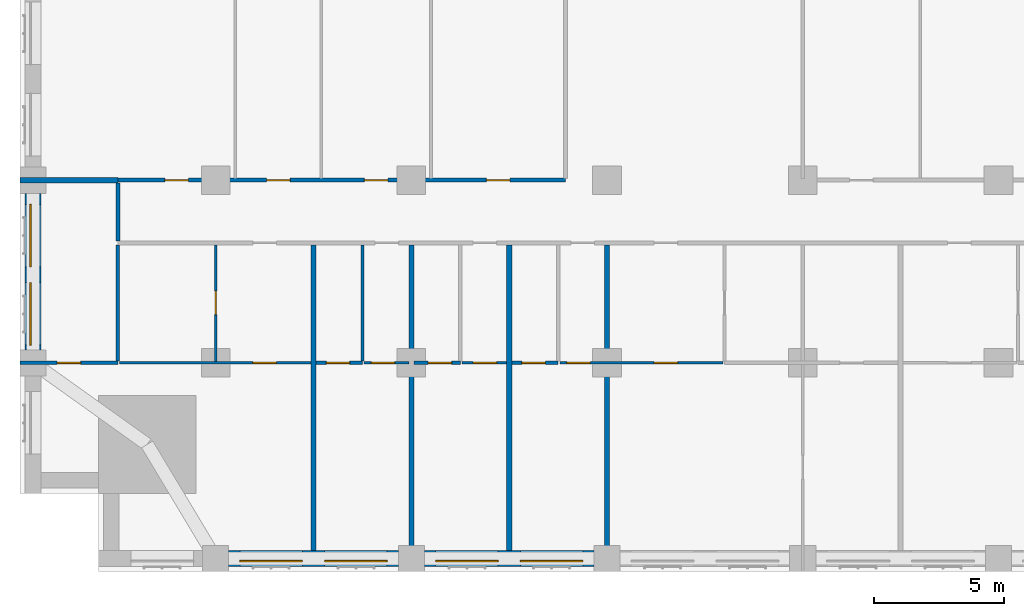
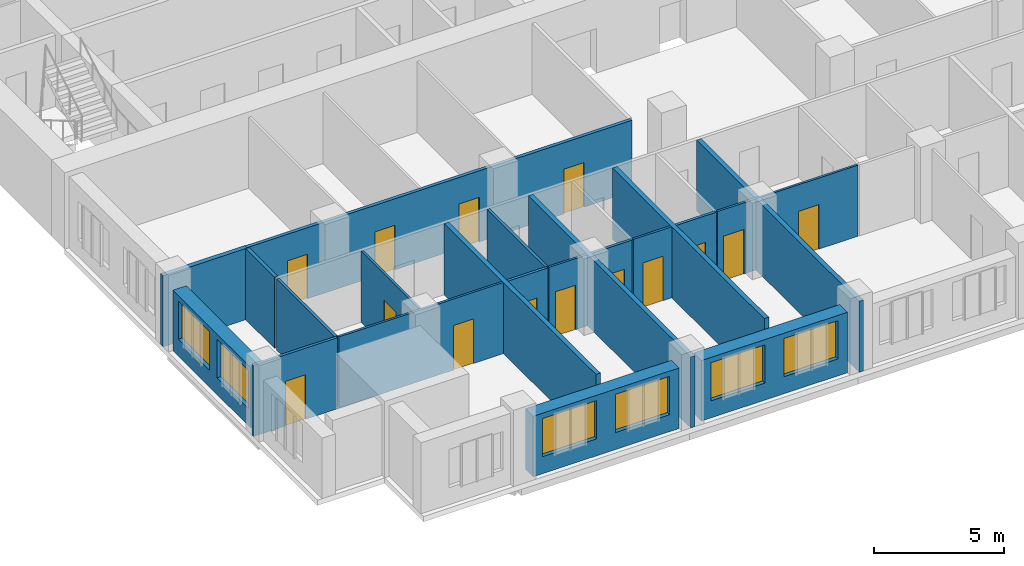
# One storey, part 4 of 15: 21 walls, 14 doors, 6 windows, 20 openings.
"""IFC4 building model written with IfcOpenShell, lengths in metres."""

from ifc_helpers import new_model, si_unit, direction, frame, frame_2d, origin, place, context, subcontext, project, spatial, rectangle, extrude, material, layer, layer_set, type_object, element, fill, save


model = new_model("IFC4")

# Units and contexts
model_context = context("Model", 3, precision=1e-05, world=origin(), true_north=direction((0.0, 1.0)))
body_context = subcontext(model_context, "Body", "Model", "MODEL_VIEW")
ifc_project = project(units=[si_unit("LENGTHUNIT", "METRE"), si_unit("AREAUNIT", "SQUARE_METRE"), si_unit("VOLUMEUNIT", "CUBIC_METRE"), si_unit("PLANEANGLEUNIT", "RADIAN"), si_unit("MASSUNIT", "GRAM", prefix="KILO")], contexts=[model_context])

# Site, building, storey
site_placement = place(None, origin())
site = spatial("IfcSite", under=ifc_project, at=site_placement, CompositionType="ELEMENT")
building_placement = place(site_placement, origin())
building = spatial("IfcBuilding", under=site, at=building_placement, Name="Tamorin Gate", CompositionType="ELEMENT")
storey_placement = place(building_placement, frame((0.0, 0.0, 82.699951171875)))
storey = spatial("IfcBuildingStorey", under=building, at=storey_placement, Name="L19", CompositionType="ELEMENT", Elevation=82.699951171875)

# Wall, openings, windows
ifc_material_1 = material(Name="Precast concrete C40/50", Category="concrete")
ifc_layer_1 = layer(ifc_material_1, 0.60009765625)
ifc_layer_set_1 = layer_set([ifc_layer_1], Name="Precast concrete C40/50")
wall_type_1 = type_object("IfcWallType", Name="Board-marked concrete facade panel 600", PredefinedType="SOLIDWALL", material=ifc_layer_set_1)
wall_1_placement = place(storey_placement, frame((38.0, 38.0, 0.0), z_axis=(0.0, 0.0, 1.0), x_axis=(1.0, 0.0, 0.0)))
wall_1 = element("IfcWall", 1, at=wall_1_placement, inside=storey, type_object=wall_type_1, Name="Facade panel", PredefinedType="SOLIDWALL", context=body_context, shape_type="SweptSolid", body=[
    extrude(rectangle(XDim=6.5, YDim=0.60009765625, at=frame_2d((3.25, 0.0))), origin(), (0.0, 0.0, 1.0), 2.85009765625),
])
opening_1_placement = place(wall_1_placement, frame((0.425048828125, 0.0, 0.800048828125)))
opening_1 = element("IfcOpeningElement", 2, at=opening_1_placement, cuts=wall_1, Name="Opening WN1", PredefinedType="OPENING", context=body_context, shape_type="SweptSolid", body=[
    extrude(rectangle(XDim=2.39990234375, YDim=1.800048828125, at=frame_2d((1.199951171875, 0.89990234375))), frame((0.0, 0.31005859375, 0.0), z_axis=(0.0, -1.0, 0.0), x_axis=(1.0, 0.0, 0.0)), (0.0, 0.0, 1.0), 0.6201171875),
])
opening_2_placement = place(wall_1_placement, frame((3.675048828125, 0.0, 0.800048828125)))
opening_2 = element("IfcOpeningElement", 3, at=opening_2_placement, cuts=wall_1, Name="Opening WN1", PredefinedType="OPENING", context=body_context, shape_type="SweptSolid", body=[
    extrude(rectangle(XDim=2.39990234375, YDim=1.800048828125, at=frame_2d((1.199951171875, 0.89990234375))), frame((0.0, 0.31005859375, 0.0), z_axis=(0.0, -1.0, 0.0), x_axis=(1.0, 0.0, 0.0)), (0.0, 0.0, 1.0), 0.6201171875),
])
ifc_material_2 = material(Name="Clear glass in aluminium frame", Category="aluminium")
window_type = type_object("IfcWindowType", Name="Deep-set window 2400x1800", PartitioningType="SINGLE_PANEL", PredefinedType="WINDOW", material=ifc_material_2)
window_1_placement = place(opening_1_placement, origin())
window_1 = element("IfcWindow", 4, at=window_1_placement, inside=storey, type_object=window_type, Name="Deep-set window", OverallHeight=1.800048828125, OverallWidth=2.39990234375, PartitioningType="SINGLE_PANEL", PredefinedType="WINDOW", context=body_context, shape_type="SweptSolid", body=[
    extrude(rectangle(XDim=2.39990234375, YDim=1.800048828125, at=frame_2d((1.199951171875, 0.89990234375))), frame((0.0, -0.070068359375, 0.0), z_axis=(0.0, -1.0, 0.0), x_axis=(1.0, 0.0, 0.0)), (0.0, 0.0, 1.0), 0.06005859375),
])
fill(opening_1, window_1)
window_2_placement = place(opening_2_placement, origin())
window_2 = element("IfcWindow", 5, at=window_2_placement, inside=storey, type_object=window_type, Name="Deep-set window", OverallHeight=1.800048828125, OverallWidth=2.39990234375, PartitioningType="SINGLE_PANEL", PredefinedType="WINDOW", context=body_context, shape_type="SweptSolid", body=[
    extrude(rectangle(XDim=2.39990234375, YDim=1.800048828125, at=frame_2d((1.199951171875, 0.89990234375))), frame((0.0, -0.070068359375, 0.0), z_axis=(0.0, -1.0, 0.0), x_axis=(1.0, 0.0, 0.0)), (0.0, 0.0, 1.0), 0.06005859375),
])
fill(opening_2, window_2)

wall_2_placement = place(storey_placement, frame((45.5, 38.0, 0.0), z_axis=(0.0, 0.0, 1.0), x_axis=(1.0, 0.0, 0.0)))
wall_2 = element("IfcWall", 6, at=wall_2_placement, inside=storey, type_object=wall_type_1, Name="Facade panel", PredefinedType="SOLIDWALL", context=body_context, shape_type="SweptSolid", body=[
    extrude(rectangle(XDim=6.5, YDim=0.60009765625, at=frame_2d((3.25, 0.0))), origin(), (0.0, 0.0, 1.0), 2.85009765625),
])
opening_3_placement = place(wall_2_placement, frame((0.425048828125, 0.0, 0.800048828125)))
opening_3 = element("IfcOpeningElement", 7, at=opening_3_placement, cuts=wall_2, Name="Opening WN1", PredefinedType="OPENING", context=body_context, shape_type="SweptSolid", body=[
    extrude(rectangle(XDim=2.39990234375, YDim=1.800048828125, at=frame_2d((1.199951171875, 0.89990234375))), frame((0.0, 0.31005859375, 0.0), z_axis=(0.0, -1.0, 0.0), x_axis=(1.0, 0.0, 0.0)), (0.0, 0.0, 1.0), 0.6201171875),
])
opening_4_placement = place(wall_2_placement, frame((3.675048828125, 0.0, 0.800048828125)))
opening_4 = element("IfcOpeningElement", 8, at=opening_4_placement, cuts=wall_2, Name="Opening WN1", PredefinedType="OPENING", context=body_context, shape_type="SweptSolid", body=[
    extrude(rectangle(XDim=2.39990234375, YDim=1.800048828125, at=frame_2d((1.199951171875, 0.89990234375))), frame((0.0, 0.31005859375, 0.0), z_axis=(0.0, -1.0, 0.0), x_axis=(1.0, 0.0, 0.0)), (0.0, 0.0, 1.0), 0.6201171875),
])
window_3_placement = place(opening_3_placement, origin())
window_3 = element("IfcWindow", 9, at=window_3_placement, inside=storey, type_object=window_type, Name="Deep-set window", OverallHeight=1.800048828125, OverallWidth=2.39990234375, PartitioningType="SINGLE_PANEL", PredefinedType="WINDOW", context=body_context, shape_type="SweptSolid", body=[
    extrude(rectangle(XDim=2.39990234375, YDim=1.800048828125, at=frame_2d((1.199951171875, 0.89990234375))), frame((0.0, -0.070068359375, 0.0), z_axis=(0.0, -1.0, 0.0), x_axis=(1.0, 0.0, 0.0)), (0.0, 0.0, 1.0), 0.06005859375),
])
fill(opening_3, window_3)
window_4_placement = place(opening_4_placement, origin())
window_4 = element("IfcWindow", 10, at=window_4_placement, inside=storey, type_object=window_type, Name="Deep-set window", OverallHeight=1.800048828125, OverallWidth=2.39990234375, PartitioningType="SINGLE_PANEL", PredefinedType="WINDOW", context=body_context, shape_type="SweptSolid", body=[
    extrude(rectangle(XDim=2.39990234375, YDim=1.800048828125, at=frame_2d((1.199951171875, 0.89990234375))), frame((0.0, -0.070068359375, 0.0), z_axis=(0.0, -1.0, 0.0), x_axis=(1.0, 0.0, 0.0)), (0.0, 0.0, 1.0), 0.06005859375),
])
fill(opening_4, window_4)

wall_3_placement = place(storey_placement, frame((30.5, 52.0, 0.0), z_axis=(0.0, 0.0, 1.0), x_axis=(0.0, -1.0, 0.0)))
wall_3 = element("IfcWall", 11, at=wall_3_placement, inside=storey, type_object=wall_type_1, Name="Facade panel", PredefinedType="SOLIDWALL", context=body_context, shape_type="SweptSolid", body=[
    extrude(rectangle(XDim=6.0, YDim=0.60009765625, at=frame_2d((3.0, 0.0))), origin(), (0.0, 0.0, 1.0), 2.85009765625),
])
opening_5_placement = place(wall_3_placement, frame((3.425048828125, 0.0, 0.800048828125)))
opening_5 = element("IfcOpeningElement", 12, at=opening_5_placement, cuts=wall_3, Name="Opening WN1", PredefinedType="OPENING", context=body_context, shape_type="SweptSolid", body=[
    extrude(rectangle(XDim=2.39990234375, YDim=1.800048828125, at=frame_2d((1.199951171875, 0.89990234375))), frame((0.0, 0.31005859375, 0.0), z_axis=(0.0, -1.0, 0.0), x_axis=(1.0, 0.0, 0.0)), (0.0, 0.0, 1.0), 0.6201171875),
])
opening_6_placement = place(wall_3_placement, frame((0.425048828125, 0.0, 0.800048828125)))
opening_6 = element("IfcOpeningElement", 13, at=opening_6_placement, cuts=wall_3, Name="Opening WN1", PredefinedType="OPENING", context=body_context, shape_type="SweptSolid", body=[
    extrude(rectangle(XDim=2.39990234375, YDim=1.800048828125, at=frame_2d((1.199951171875, 0.89990234375))), frame((0.0, 0.31005859375, 0.0), z_axis=(0.0, -1.0, 0.0), x_axis=(1.0, 0.0, 0.0)), (0.0, 0.0, 1.0), 0.6201171875),
])
window_5_placement = place(opening_5_placement, origin())
window_5 = element("IfcWindow", 14, at=window_5_placement, inside=storey, type_object=window_type, Name="Deep-set window", OverallHeight=1.800048828125, OverallWidth=2.39990234375, PartitioningType="SINGLE_PANEL", PredefinedType="WINDOW", context=body_context, shape_type="SweptSolid", body=[
    extrude(rectangle(XDim=2.39990234375, YDim=1.800048828125, at=frame_2d((1.199951171875, 0.89990234375))), frame((0.0, -0.070068359375, 0.0), z_axis=(0.0, -1.0, 0.0), x_axis=(1.0, 0.0, 0.0)), (0.0, 0.0, 1.0), 0.06005859375),
])
fill(opening_5, window_5)
window_6_placement = place(opening_6_placement, origin())
window_6 = element("IfcWindow", 15, at=window_6_placement, inside=storey, type_object=window_type, Name="Deep-set window", OverallHeight=1.800048828125, OverallWidth=2.39990234375, PartitioningType="SINGLE_PANEL", PredefinedType="WINDOW", context=body_context, shape_type="SweptSolid", body=[
    extrude(rectangle(XDim=2.39990234375, YDim=1.800048828125, at=frame_2d((1.199951171875, 0.89990234375))), frame((0.0, -0.070068359375, 0.0), z_axis=(0.0, -1.0, 0.0), x_axis=(1.0, 0.0, 0.0)), (0.0, 0.0, 1.0), 0.06005859375),
])
fill(opening_6, window_6)

# Wall, openings, doors
ifc_material_3 = material(Name="Gypsum board partition")
ifc_layer_2 = layer(ifc_material_3, 0.14990234375)
ifc_layer_set_2 = layer_set([ifc_layer_2], Name="Corridor wall 150")
wall_type_2 = type_object("IfcWallType", Name="Corridor wall 150", PredefinedType="PARTITIONING", material=ifc_layer_set_2)
wall_4_placement = place(storey_placement, frame((33.75, 52.5, 0.0), z_axis=(0.0, 0.0, 1.0), x_axis=(1.0, 0.0, 0.0)))
wall_4 = element("IfcWall", 16, at=wall_4_placement, inside=storey, type_object=wall_type_2, Name="Corridor wall 150", PredefinedType="PARTITIONING", context=body_context, shape_type="SweptSolid", body=[
    extrude(rectangle(XDim=17.14990234375, YDim=0.14990234375, at=frame_2d((8.574951171875, 0.0))), origin(), (0.0, 0.0, 1.0), 3.35009765625),
])
opening_7_placement = place(wall_4_placement, frame((1.800048828125, 0.0, 0.0)))
opening_7 = element("IfcOpeningElement", 17, at=opening_7_placement, cuts=wall_4, Name="Opening DH6086", PredefinedType="OPENING", context=body_context, shape_type="SweptSolid", body=[
    extrude(rectangle(XDim=0.89990234375, YDim=2.10009765625, at=frame_2d((0.449951171875, 1.050048828125))), frame((0.0, 0.0849609375, 0.0), z_axis=(0.0, -1.0, 0.0), x_axis=(1.0, 0.0, 0.0)), (0.0, 0.0, 1.0), 0.169921875),
])
opening_8_placement = place(wall_4_placement, frame((5.699951171875, 0.0, 0.0)))
opening_8 = element("IfcOpeningElement", 18, at=opening_8_placement, cuts=wall_4, Name="Opening DH6087", PredefinedType="OPENING", context=body_context, shape_type="SweptSolid", body=[
    extrude(rectangle(XDim=0.89990234375, YDim=2.10009765625, at=frame_2d((0.449951171875, 1.050048828125))), frame((0.0, 0.0849609375, 0.0), z_axis=(0.0, -1.0, 0.0), x_axis=(1.0, 0.0, 0.0)), (0.0, 0.0, 1.0), 0.169921875),
])
opening_9_placement = place(wall_4_placement, frame((9.449951171875, 0.0, 0.0)))
opening_9 = element("IfcOpeningElement", 19, at=opening_9_placement, cuts=wall_4, Name="Opening DH6088", PredefinedType="OPENING", context=body_context, shape_type="SweptSolid", body=[
    extrude(rectangle(XDim=0.89990234375, YDim=2.10009765625, at=frame_2d((0.449951171875, 1.050048828125))), frame((0.0, 0.0849609375, 0.0), z_axis=(0.0, -1.0, 0.0), x_axis=(1.0, 0.0, 0.0)), (0.0, 0.0, 1.0), 0.169921875),
])
opening_10_placement = place(wall_4_placement, frame((14.125, 0.0, 0.0)))
opening_10 = element("IfcOpeningElement", 20, at=opening_10_placement, cuts=wall_4, Name="Opening DH6089", PredefinedType="OPENING", context=body_context, shape_type="SweptSolid", body=[
    extrude(rectangle(XDim=0.89990234375, YDim=2.10009765625, at=frame_2d((0.449951171875, 1.050048828125))), frame((0.0, 0.0849609375, 0.0), z_axis=(0.0, -1.0, 0.0), x_axis=(1.0, 0.0, 0.0)), (0.0, 0.0, 1.0), 0.169921875),
])
ifc_material_4 = material(Name="Timber door leaf", Category="wood")
door_type_1 = type_object("IfcDoorType", Name="Door 900 x 2100 FD30S", OperationType="NOTDEFINED", PredefinedType="DOOR", material=ifc_material_4)
door_1_placement = place(opening_7_placement, origin())
door_1 = element("IfcDoor", 21, at=door_1_placement, inside=storey, type_object=door_type_1, Name="Door DH6086", OperationType="SINGLE_SWING_LEFT", OverallHeight=2.10009765625, OverallWidth=0.89990234375, PredefinedType="DOOR", context=body_context, shape_type="SweptSolid", body=[
    extrude(rectangle(XDim=0.89990234375, YDim=2.10009765625, at=frame_2d((0.449951171875, 1.050048828125))), frame((0.0, 0.02490234375, 0.0), z_axis=(0.0, -1.0, 0.0), x_axis=(1.0, 0.0, 0.0)), (0.0, 0.0, 1.0), 0.050048828125),
])
fill(opening_7, door_1)
door_2_placement = place(opening_8_placement, origin())
door_2 = element("IfcDoor", 22, at=door_2_placement, inside=storey, type_object=door_type_1, Name="Door DH6087", OperationType="SINGLE_SWING_LEFT", OverallHeight=2.10009765625, OverallWidth=0.89990234375, PredefinedType="DOOR", context=body_context, shape_type="SweptSolid", body=[
    extrude(rectangle(XDim=0.89990234375, YDim=2.10009765625, at=frame_2d((0.449951171875, 1.050048828125))), frame((0.0, 0.02490234375, 0.0), z_axis=(0.0, -1.0, 0.0), x_axis=(1.0, 0.0, 0.0)), (0.0, 0.0, 1.0), 0.050048828125),
])
fill(opening_8, door_2)
door_3_placement = place(opening_9_placement, origin())
door_3 = element("IfcDoor", 23, at=door_3_placement, inside=storey, type_object=door_type_1, Name="Door DH6088", OperationType="SINGLE_SWING_LEFT", OverallHeight=2.10009765625, OverallWidth=0.89990234375, PredefinedType="DOOR", context=body_context, shape_type="SweptSolid", body=[
    extrude(rectangle(XDim=0.89990234375, YDim=2.10009765625, at=frame_2d((0.449951171875, 1.050048828125))), frame((0.0, 0.02490234375, 0.0), z_axis=(0.0, -1.0, 0.0), x_axis=(1.0, 0.0, 0.0)), (0.0, 0.0, 1.0), 0.050048828125),
])
fill(opening_9, door_3)
door_4_placement = place(opening_10_placement, origin())
door_4 = element("IfcDoor", 24, at=door_4_placement, inside=storey, type_object=door_type_1, Name="Door DH6089", OperationType="SINGLE_SWING_LEFT", OverallHeight=2.10009765625, OverallWidth=0.89990234375, PredefinedType="DOOR", context=body_context, shape_type="SweptSolid", body=[
    extrude(rectangle(XDim=0.89990234375, YDim=2.10009765625, at=frame_2d((0.449951171875, 1.050048828125))), frame((0.0, 0.02490234375, 0.0), z_axis=(0.0, -1.0, 0.0), x_axis=(1.0, 0.0, 0.0)), (0.0, 0.0, 1.0), 0.050048828125),
])
fill(opening_10, door_4)

# Walls
wall_5_placement = place(storey_placement, frame((33.75, 50.175048828125, 0.0), z_axis=(0.0, 0.0, 1.0), x_axis=(0.0, 1.0, 0.0)))
element("IfcWall", 25, at=wall_5_placement, inside=storey, type_object=wall_type_2, Name="Corridor wall 150", PredefinedType="PARTITIONING", context=body_context, shape_type="SweptSolid", body=[
    extrude(rectangle(XDim=2.224853515625, YDim=0.14990234375, at=frame_2d((1.1123046875, 0.0))), origin(), (0.0, 0.0, 1.0), 3.35009765625),
])
ifc_layer_3 = layer(ifc_material_3, 0.199951171875)
ifc_layer_set_3 = layer_set([ifc_layer_3], Name="Demising wall 200")
wall_type_3 = type_object("IfcWallType", Name="Demising wall 200", PredefinedType="PARTITIONING", material=ifc_layer_set_3)
wall_6_placement = place(storey_placement, frame((30.0, 52.5, 0.0), z_axis=(0.0, 0.0, 1.0), x_axis=(1.0, 0.0, 0.0)))
element("IfcWall", 26, at=wall_6_placement, inside=storey, type_object=wall_type_3, Name="Demising wall 200", PredefinedType="PARTITIONING", context=body_context, shape_type="SweptSolid", body=[
    extrude(rectangle(XDim=3.75, YDim=0.199951171875, at=frame_2d((1.875, 0.0))), origin(), (0.0, 0.0, 1.0), 3.35009765625),
])
wall_7_placement = place(storey_placement, frame((41.25, 38.31005859375, 0.0), z_axis=(0.0, 0.0, 1.0), x_axis=(0.0, 1.0, 0.0)))
element("IfcWall", 27, at=wall_7_placement, inside=storey, type_object=wall_type_3, Name="Demising wall 200", PredefinedType="PARTITIONING", context=body_context, shape_type="SweptSolid", body=[
    extrude(rectangle(XDim=11.71484375, YDim=0.199951171875, at=frame_2d((5.857421875, 0.0))), origin(), (0.0, 0.0, 1.0), 3.35009765625),
])
wall_8_placement = place(storey_placement, frame((45.0, 37.5, 0.0), z_axis=(0.0, 0.0, 1.0), x_axis=(0.0, 1.0, 0.0)))
element("IfcWall", 28, at=wall_8_placement, inside=storey, type_object=wall_type_3, Name="Demising wall 200", PredefinedType="PARTITIONING", context=body_context, shape_type="SweptSolid", body=[
    extrude(rectangle(XDim=12.52490234375, YDim=0.199951171875, at=frame_2d((6.262451171875, 0.0))), origin(), (0.0, 0.0, 1.0), 3.35009765625),
])
wall_9_placement = place(storey_placement, frame((48.75, 38.31005859375, 0.0), z_axis=(0.0, 0.0, 1.0), x_axis=(0.0, 1.0, 0.0)))
element("IfcWall", 29, at=wall_9_placement, inside=storey, type_object=wall_type_3, Name="Demising wall 200", PredefinedType="PARTITIONING", context=body_context, shape_type="SweptSolid", body=[
    extrude(rectangle(XDim=11.71484375, YDim=0.199951171875, at=frame_2d((5.857421875, 0.0))), origin(), (0.0, 0.0, 1.0), 3.35009765625),
])
wall_10_placement = place(storey_placement, frame((52.5, 37.5, 0.0), z_axis=(0.0, 0.0, 1.0), x_axis=(0.0, 1.0, 0.0)))
element("IfcWall", 30, at=wall_10_placement, inside=storey, type_object=wall_type_3, Name="Demising wall 200", PredefinedType="PARTITIONING", context=body_context, shape_type="SweptSolid", body=[
    extrude(rectangle(XDim=12.52490234375, YDim=0.199951171875, at=frame_2d((6.262451171875, 0.0))), origin(), (0.0, 0.0, 1.0), 3.35009765625),
])

# Wall, opening, door
ifc_layer_4 = layer(ifc_material_3, 0.10009765625)
ifc_layer_set_4 = layer_set([ifc_layer_4], Name="Room partition 100")
wall_type_4 = type_object("IfcWallType", Name="Room partition 100", PredefinedType="PARTITIONING", material=ifc_layer_set_4)
wall_11_placement = place(storey_placement, frame((33.8125, 45.5, 0.0), z_axis=(0.0, 0.0, 1.0), x_axis=(1.0, 0.0, 0.0)))
wall_11 = element("IfcWall", 31, at=wall_11_placement, inside=storey, type_object=wall_type_4, Name="Room partition 100", PredefinedType="PARTITIONING", context=body_context, shape_type="SweptSolid", body=[
    extrude(rectangle(XDim=7.33740234375, YDim=0.10009765625, at=frame_2d((3.668701171875, 0.0))), origin(), (0.0, 0.0, 1.0), 3.35009765625),
])
opening_11_placement = place(wall_11_placement, frame((5.112548828125, 0.0, 0.0)))
opening_11 = element("IfcOpeningElement", 32, at=opening_11_placement, cuts=wall_11, Name="Opening DH6004", PredefinedType="OPENING", context=body_context, shape_type="SweptSolid", body=[
    extrude(rectangle(XDim=0.89990234375, YDim=2.10009765625, at=frame_2d((0.449951171875, 1.050048828125))), frame((0.0, 0.06005859375, 0.0), z_axis=(0.0, -1.0, 0.0), x_axis=(1.0, 0.0, 0.0)), (0.0, 0.0, 1.0), 0.1201171875),
])
door_type_2 = type_object("IfcDoorType", Name="Door 900 x 2100", OperationType="NOTDEFINED", PredefinedType="DOOR", material=ifc_material_4)
door_5_placement = place(opening_11_placement, origin())
door_5 = element("IfcDoor", 33, at=door_5_placement, inside=storey, type_object=door_type_2, Name="Door DH6004", OperationType="SINGLE_SWING_LEFT", OverallHeight=2.10009765625, OverallWidth=0.89990234375, PredefinedType="DOOR", context=body_context, shape_type="SweptSolid", body=[
    extrude(rectangle(XDim=0.89990234375, YDim=2.10009765625, at=frame_2d((0.449951171875, 1.050048828125))), frame((0.0, 0.02490234375, 0.0), z_axis=(0.0, -1.0, 0.0), x_axis=(1.0, 0.0, 0.0)), (0.0, 0.0, 1.0), 0.050048828125),
])
fill(opening_11, door_5)

wall_12_placement = place(storey_placement, frame((43.1875, 45.5, 0.0), z_axis=(0.0, 0.0, 1.0), x_axis=(1.0, 0.0, 0.0)))
wall_12 = element("IfcWall", 34, at=wall_12_placement, inside=storey, type_object=wall_type_4, Name="Room partition 100", PredefinedType="PARTITIONING", context=body_context, shape_type="SweptSolid", body=[
    extrude(rectangle(XDim=1.71240234375, YDim=0.10009765625, at=frame_2d((0.856201171875, 0.0))), origin(), (0.0, 0.0, 1.0), 3.35009765625),
])
opening_12_placement = place(wall_12_placement, frame((0.27490234375, 0.0, 0.0)))
opening_12 = element("IfcOpeningElement", 35, at=opening_12_placement, cuts=wall_12, Name="Opening DH6007", PredefinedType="OPENING", context=body_context, shape_type="SweptSolid", body=[
    extrude(rectangle(XDim=0.89990234375, YDim=2.10009765625, at=frame_2d((0.449951171875, 1.050048828125))), frame((0.0, 0.06005859375, 0.0), z_axis=(0.0, -1.0, 0.0), x_axis=(1.0, 0.0, 0.0)), (0.0, 0.0, 1.0), 0.1201171875),
])
door_6_placement = place(opening_12_placement, origin())
door_6 = element("IfcDoor", 36, at=door_6_placement, inside=storey, type_object=door_type_2, Name="Door DH6007", OperationType="SINGLE_SWING_LEFT", OverallHeight=2.10009765625, OverallWidth=0.89990234375, PredefinedType="DOOR", context=body_context, shape_type="SweptSolid", body=[
    extrude(rectangle(XDim=0.89990234375, YDim=2.10009765625, at=frame_2d((0.449951171875, 1.050048828125))), frame((0.0, 0.02490234375, 0.0), z_axis=(0.0, -1.0, 0.0), x_axis=(1.0, 0.0, 0.0)), (0.0, 0.0, 1.0), 0.050048828125),
])
fill(opening_12, door_6)

wall_13_placement = place(storey_placement, frame((46.9375, 45.5, 0.0), z_axis=(0.0, 0.0, 1.0), x_axis=(1.0, 0.0, 0.0)))
wall_13 = element("IfcWall", 37, at=wall_13_placement, inside=storey, type_object=wall_type_4, Name="Room partition 100", PredefinedType="PARTITIONING", context=body_context, shape_type="SweptSolid", body=[
    extrude(rectangle(XDim=1.71240234375, YDim=0.10009765625, at=frame_2d((0.856201171875, 0.0))), origin(), (0.0, 0.0, 1.0), 3.35009765625),
])
opening_13_placement = place(wall_13_placement, frame((0.425048828125, 0.0, 0.0)))
opening_13 = element("IfcOpeningElement", 38, at=opening_13_placement, cuts=wall_13, Name="Opening DH6010", PredefinedType="OPENING", context=body_context, shape_type="SweptSolid", body=[
    extrude(rectangle(XDim=0.89990234375, YDim=2.10009765625, at=frame_2d((0.449951171875, 1.050048828125))), frame((0.0, 0.06005859375, 0.0), z_axis=(0.0, -1.0, 0.0), x_axis=(1.0, 0.0, 0.0)), (0.0, 0.0, 1.0), 0.1201171875),
])
door_7_placement = place(opening_13_placement, origin())
door_7 = element("IfcDoor", 39, at=door_7_placement, inside=storey, type_object=door_type_2, Name="Door DH6010", OperationType="SINGLE_SWING_LEFT", OverallHeight=2.10009765625, OverallWidth=0.89990234375, PredefinedType="DOOR", context=body_context, shape_type="SweptSolid", body=[
    extrude(rectangle(XDim=0.89990234375, YDim=2.10009765625, at=frame_2d((0.449951171875, 1.050048828125))), frame((0.0, 0.02490234375, 0.0), z_axis=(0.0, -1.0, 0.0), x_axis=(1.0, 0.0, 0.0)), (0.0, 0.0, 1.0), 0.050048828125),
])
fill(opening_13, door_7)

# Wall, openings, doors
wall_14_placement = place(storey_placement, frame((50.6875, 45.5, 0.0), z_axis=(0.0, 0.0, 1.0), x_axis=(1.0, 0.0, 0.0)))
wall_14 = element("IfcWall", 40, at=wall_14_placement, inside=storey, type_object=wall_type_4, Name="Room partition 100", PredefinedType="PARTITIONING", context=body_context, shape_type="SweptSolid", body=[
    extrude(rectangle(XDim=6.25, YDim=0.10009765625, at=frame_2d((3.125, 0.0))), origin(), (0.0, 0.0, 1.0), 3.35009765625),
])
opening_14_placement = place(wall_14_placement, frame((0.27490234375, 0.0, 0.0)))
opening_14 = element("IfcOpeningElement", 41, at=opening_14_placement, cuts=wall_14, Name="Opening DH6013", PredefinedType="OPENING", context=body_context, shape_type="SweptSolid", body=[
    extrude(rectangle(XDim=0.89990234375, YDim=2.10009765625, at=frame_2d((0.449951171875, 1.050048828125))), frame((0.0, 0.06005859375, 0.0), z_axis=(0.0, -1.0, 0.0), x_axis=(1.0, 0.0, 0.0)), (0.0, 0.0, 1.0), 0.1201171875),
])
opening_15_placement = place(wall_14_placement, frame((3.612548828125, 0.0, 0.0)))
opening_15 = element("IfcOpeningElement", 42, at=opening_15_placement, cuts=wall_14, Name="Opening DH6015", PredefinedType="OPENING", context=body_context, shape_type="SweptSolid", body=[
    extrude(rectangle(XDim=0.89990234375, YDim=2.10009765625, at=frame_2d((0.449951171875, 1.050048828125))), frame((0.0, 0.06005859375, 0.0), z_axis=(0.0, -1.0, 0.0), x_axis=(1.0, 0.0, 0.0)), (0.0, 0.0, 1.0), 0.1201171875),
])
door_8_placement = place(opening_14_placement, origin())
door_8 = element("IfcDoor", 43, at=door_8_placement, inside=storey, type_object=door_type_2, Name="Door DH6013", OperationType="SINGLE_SWING_LEFT", OverallHeight=2.10009765625, OverallWidth=0.89990234375, PredefinedType="DOOR", context=body_context, shape_type="SweptSolid", body=[
    extrude(rectangle(XDim=0.89990234375, YDim=2.10009765625, at=frame_2d((0.449951171875, 1.050048828125))), frame((0.0, 0.02490234375, 0.0), z_axis=(0.0, -1.0, 0.0), x_axis=(1.0, 0.0, 0.0)), (0.0, 0.0, 1.0), 0.050048828125),
])
fill(opening_14, door_8)
door_9_placement = place(opening_15_placement, origin())
door_9 = element("IfcDoor", 44, at=door_9_placement, inside=storey, type_object=door_type_2, Name="Door DH6015", OperationType="SINGLE_SWING_LEFT", OverallHeight=2.10009765625, OverallWidth=0.89990234375, PredefinedType="DOOR", context=body_context, shape_type="SweptSolid", body=[
    extrude(rectangle(XDim=0.89990234375, YDim=2.10009765625, at=frame_2d((0.449951171875, 1.050048828125))), frame((0.0, 0.02490234375, 0.0), z_axis=(0.0, -1.0, 0.0), x_axis=(1.0, 0.0, 0.0)), (0.0, 0.0, 1.0), 0.050048828125),
])
fill(opening_15, door_9)

# Wall, opening, door
wall_15_placement = place(storey_placement, frame((37.5, 45.550048828125, 0.0), z_axis=(0.0, 0.0, 1.0), x_axis=(0.0, 1.0, 0.0)))
wall_15 = element("IfcWall", 45, at=wall_15_placement, inside=storey, type_object=wall_type_4, Name="Room partition 100", PredefinedType="PARTITIONING", context=body_context, shape_type="SweptSolid", body=[
    extrude(rectangle(XDim=4.474853515625, YDim=0.10009765625, at=frame_2d((2.2373046875, 0.0))), origin(), (0.0, 0.0, 1.0), 3.35009765625),
])
opening_16_placement = place(wall_15_placement, frame((1.800048828125, 0.0, 0.0)))
opening_16 = element("IfcOpeningElement", 46, at=opening_16_placement, cuts=wall_15, Name="Opening DH6002", PredefinedType="OPENING", context=body_context, shape_type="SweptSolid", body=[
    extrude(rectangle(XDim=0.89990234375, YDim=2.10009765625, at=frame_2d((0.449951171875, 1.050048828125))), frame((0.0, 0.06005859375, 0.0), z_axis=(0.0, -1.0, 0.0), x_axis=(1.0, 0.0, 0.0)), (0.0, 0.0, 1.0), 0.1201171875),
])
door_10_placement = place(opening_16_placement, origin())
door_10 = element("IfcDoor", 47, at=door_10_placement, inside=storey, type_object=door_type_2, Name="Door DH6002", OperationType="SINGLE_SWING_RIGHT", OverallHeight=2.10009765625, OverallWidth=0.89990234375, PredefinedType="DOOR", context=body_context, shape_type="SweptSolid", body=[
    extrude(rectangle(XDim=0.89990234375, YDim=2.10009765625, at=frame_2d((0.449951171875, 1.050048828125))), frame((0.0, 0.02490234375, 0.0), z_axis=(0.0, -1.0, 0.0), x_axis=(1.0, 0.0, 0.0)), (0.0, 0.0, 1.0), 0.050048828125),
])
fill(opening_16, door_10)

ifc_layer_5 = layer(ifc_material_3, 0.125)
ifc_layer_set_5 = layer_set([ifc_layer_5], Name="Wet wall 125")
wall_type_5 = type_object("IfcWallType", Name="Wet wall 125", PredefinedType="PARTITIONING", material=ifc_layer_set_5)
wall_16_placement = place(storey_placement, frame((30.0, 45.5, 0.0), z_axis=(0.0, 0.0, 1.0), x_axis=(1.0, 0.0, 0.0)))
wall_16 = element("IfcWall", 48, at=wall_16_placement, inside=storey, type_object=wall_type_5, Name="Wet wall 125", PredefinedType="PARTITIONING", context=body_context, shape_type="SweptSolid", body=[
    extrude(rectangle(XDim=3.75, YDim=0.125, at=frame_2d((1.875, 0.0))), origin(), (0.0, 0.0, 1.0), 3.35009765625),
])
opening_17_placement = place(wall_16_placement, frame((1.425048828125, 0.0, 0.0)))
opening_17 = element("IfcOpeningElement", 49, at=opening_17_placement, cuts=wall_16, Name="Opening DH6001", PredefinedType="OPENING", context=body_context, shape_type="SweptSolid", body=[
    extrude(rectangle(XDim=0.89990234375, YDim=2.10009765625, at=frame_2d((0.449951171875, 1.050048828125))), frame((0.0, 0.072509765625, 0.0), z_axis=(0.0, -1.0, 0.0), x_axis=(1.0, 0.0, 0.0)), (0.0, 0.0, 1.0), 0.14501953125),
])
door_11_placement = place(opening_17_placement, origin())
door_11 = element("IfcDoor", 50, at=door_11_placement, inside=storey, type_object=door_type_2, Name="Door DH6001", OperationType="SINGLE_SWING_LEFT", OverallHeight=2.10009765625, OverallWidth=0.89990234375, PredefinedType="DOOR", context=body_context, shape_type="SweptSolid", body=[
    extrude(rectangle(XDim=0.89990234375, YDim=2.10009765625, at=frame_2d((0.449951171875, 1.050048828125))), frame((0.0, 0.02490234375, 0.0), z_axis=(0.0, -1.0, 0.0), x_axis=(1.0, 0.0, 0.0)), (0.0, 0.0, 1.0), 0.050048828125),
])
fill(opening_17, door_11)

wall_17_placement = place(storey_placement, frame((41.35009765625, 45.5, 0.0), z_axis=(0.0, 0.0, 1.0), x_axis=(1.0, 0.0, 0.0)))
wall_17 = element("IfcWall", 51, at=wall_17_placement, inside=storey, type_object=wall_type_5, Name="Wet wall 125", PredefinedType="PARTITIONING", context=body_context, shape_type="SweptSolid", body=[
    extrude(rectangle(XDim=1.77490234375, YDim=0.125, at=frame_2d((0.887451171875, 0.0))), origin(), (0.0, 0.0, 1.0), 3.35009765625),
])
opening_18_placement = place(wall_17_placement, frame((0.387451171875, 0.0, 0.0)))
opening_18 = element("IfcOpeningElement", 52, at=opening_18_placement, cuts=wall_17, Name="Opening DH6005", PredefinedType="OPENING", context=body_context, shape_type="SweptSolid", body=[
    extrude(rectangle(XDim=0.89990234375, YDim=2.10009765625, at=frame_2d((0.449951171875, 1.050048828125))), frame((0.0, 0.072509765625, 0.0), z_axis=(0.0, -1.0, 0.0), x_axis=(1.0, 0.0, 0.0)), (0.0, 0.0, 1.0), 0.14501953125),
])
door_12_placement = place(opening_18_placement, origin())
door_12 = element("IfcDoor", 53, at=door_12_placement, inside=storey, type_object=door_type_2, Name="Door DH6005", OperationType="SINGLE_SWING_LEFT", OverallHeight=2.10009765625, OverallWidth=0.89990234375, PredefinedType="DOOR", context=body_context, shape_type="SweptSolid", body=[
    extrude(rectangle(XDim=0.89990234375, YDim=2.10009765625, at=frame_2d((0.449951171875, 1.050048828125))), frame((0.0, 0.02490234375, 0.0), z_axis=(0.0, -1.0, 0.0), x_axis=(1.0, 0.0, 0.0)), (0.0, 0.0, 1.0), 0.050048828125),
])
fill(opening_18, door_12)

wall_18_placement = place(storey_placement, frame((45.10009765625, 45.5, 0.0), z_axis=(0.0, 0.0, 1.0), x_axis=(1.0, 0.0, 0.0)))
wall_18 = element("IfcWall", 54, at=wall_18_placement, inside=storey, type_object=wall_type_5, Name="Wet wall 125", PredefinedType="PARTITIONING", context=body_context, shape_type="SweptSolid", body=[
    extrude(rectangle(XDim=1.77490234375, YDim=0.125, at=frame_2d((0.887451171875, 0.0))), origin(), (0.0, 0.0, 1.0), 3.35009765625),
])
opening_19_placement = place(wall_18_placement, frame((0.53759765625, 0.0, 0.0)))
opening_19 = element("IfcOpeningElement", 55, at=opening_19_placement, cuts=wall_18, Name="Opening DH6008", PredefinedType="OPENING", context=body_context, shape_type="SweptSolid", body=[
    extrude(rectangle(XDim=0.89990234375, YDim=2.10009765625, at=frame_2d((0.449951171875, 1.050048828125))), frame((0.0, 0.072509765625, 0.0), z_axis=(0.0, -1.0, 0.0), x_axis=(1.0, 0.0, 0.0)), (0.0, 0.0, 1.0), 0.14501953125),
])
door_13_placement = place(opening_19_placement, origin())
door_13 = element("IfcDoor", 56, at=door_13_placement, inside=storey, type_object=door_type_2, Name="Door DH6008", OperationType="SINGLE_SWING_RIGHT", OverallHeight=2.10009765625, OverallWidth=0.89990234375, PredefinedType="DOOR", context=body_context, shape_type="SweptSolid", body=[
    extrude(rectangle(XDim=0.89990234375, YDim=2.10009765625, at=frame_2d((0.449951171875, 1.050048828125))), frame((0.0, 0.02490234375, 0.0), z_axis=(0.0, -1.0, 0.0), x_axis=(1.0, 0.0, 0.0)), (0.0, 0.0, 1.0), 0.050048828125),
])
fill(opening_19, door_13)

wall_19_placement = place(storey_placement, frame((48.85009765625, 45.5, 0.0), z_axis=(0.0, 0.0, 1.0), x_axis=(1.0, 0.0, 0.0)))
wall_19 = element("IfcWall", 57, at=wall_19_placement, inside=storey, type_object=wall_type_5, Name="Wet wall 125", PredefinedType="PARTITIONING", context=body_context, shape_type="SweptSolid", body=[
    extrude(rectangle(XDim=1.77490234375, YDim=0.125, at=frame_2d((0.887451171875, 0.0))), origin(), (0.0, 0.0, 1.0), 3.35009765625),
])
opening_20_placement = place(wall_19_placement, frame((0.387451171875, 0.0, 0.0)))
opening_20 = element("IfcOpeningElement", 58, at=opening_20_placement, cuts=wall_19, Name="Opening DH6011", PredefinedType="OPENING", context=body_context, shape_type="SweptSolid", body=[
    extrude(rectangle(XDim=0.89990234375, YDim=2.10009765625, at=frame_2d((0.449951171875, 1.050048828125))), frame((0.0, 0.072509765625, 0.0), z_axis=(0.0, -1.0, 0.0), x_axis=(1.0, 0.0, 0.0)), (0.0, 0.0, 1.0), 0.14501953125),
])
door_14_placement = place(opening_20_placement, origin())
door_14 = element("IfcDoor", 59, at=door_14_placement, inside=storey, type_object=door_type_2, Name="Door DH6011", OperationType="SINGLE_SWING_LEFT", OverallHeight=2.10009765625, OverallWidth=0.89990234375, PredefinedType="DOOR", context=body_context, shape_type="SweptSolid", body=[
    extrude(rectangle(XDim=0.89990234375, YDim=2.10009765625, at=frame_2d((0.449951171875, 1.050048828125))), frame((0.0, 0.02490234375, 0.0), z_axis=(0.0, -1.0, 0.0), x_axis=(1.0, 0.0, 0.0)), (0.0, 0.0, 1.0), 0.050048828125),
])
fill(opening_20, door_14)

# Walls
for number, where, z_axis, x_axis, name in (
    (60, (33.75, 45.5625, 0.0), (0.0, 0.0, 1.0), (0.0, 1.0, 0.0), "Wet wall 125"),
    (61, (43.125, 45.5625, 0.0), (0.0, 0.0, 1.0), (0.0, 1.0, 0.0), "Wet wall 125"),
):
    element("IfcWall", number, at=place(storey_placement, frame(where, z_axis=z_axis, x_axis=x_axis)), inside=storey, type_object=wall_type_5, Name=name, PredefinedType="PARTITIONING", context=body_context, shape_type="SweptSolid", body=[
        extrude(rectangle(XDim=4.46240234375, YDim=0.125, at=frame_2d((2.231201171875, 0.0))), origin(), (0.0, 0.0, 1.0), 3.35009765625),
    ])

save(model, "model.ifc")
